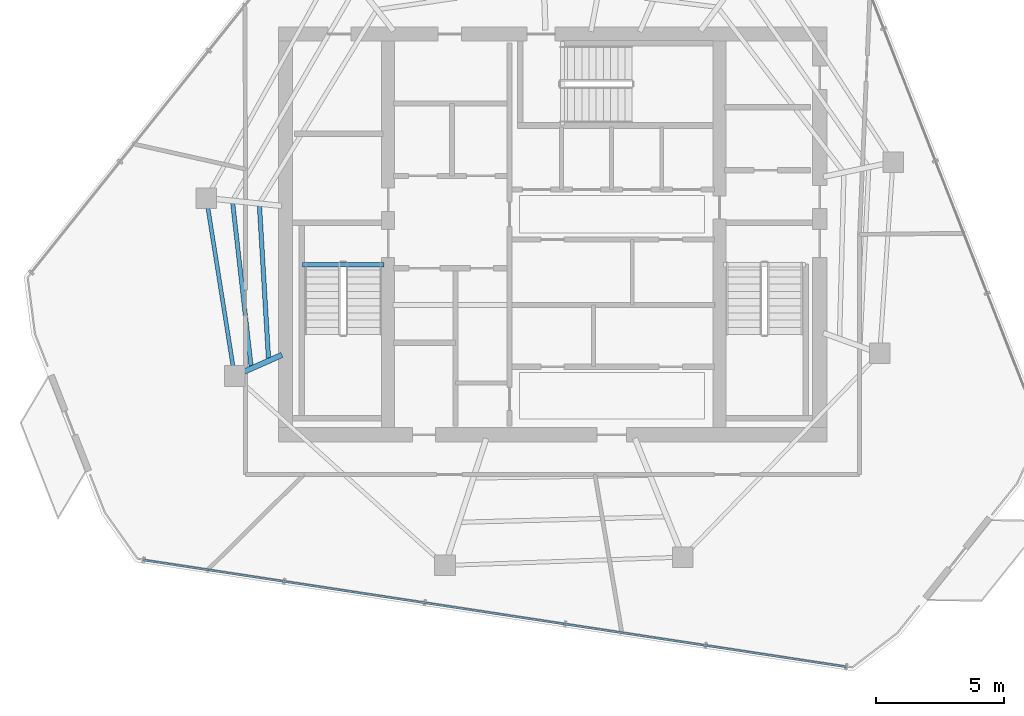
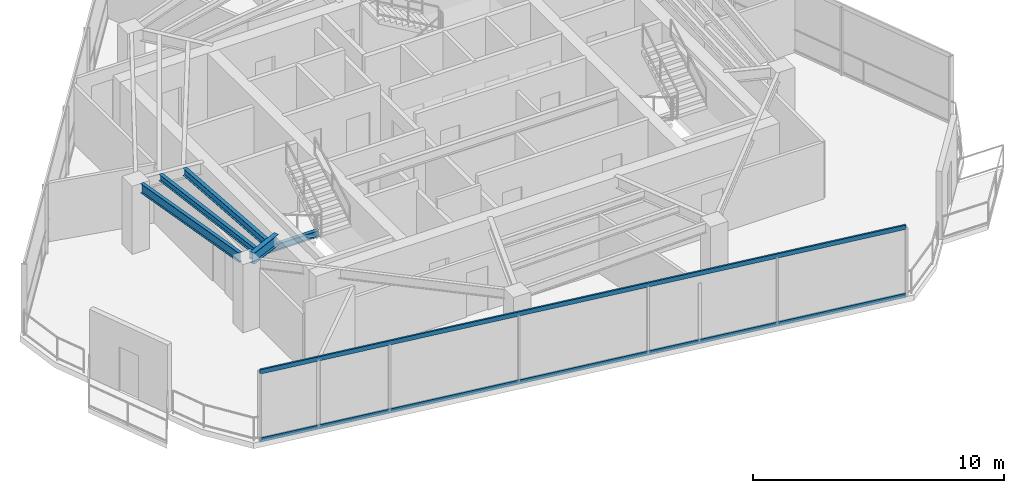
# One storey, part 3 of 19: 5 beams, 2 members, 1 element without a shape of its own.
"""IFC4 building model written with IfcOpenShell, lengths in metres."""

from ifc_helpers import new_model, si_unit, direction, frame, origin, origin_2d, place, context, subcontext, project, spatial, hollow_rectangle, i_section, extrude, material, layer, layer_set, material_profile, profile_set, type_object, element, aggregate, save


model = new_model("IFC4")

# Units and contexts
model_context = context("Model", 3, precision=1e-05, world=origin(), true_north=direction((0.0, 1.0)))
body_context = subcontext(model_context, "Body", "Model", "MODEL_VIEW")
ifc_project = project(units=[si_unit("LENGTHUNIT", "METRE"), si_unit("AREAUNIT", "SQUARE_METRE"), si_unit("VOLUMEUNIT", "CUBIC_METRE"), si_unit("PLANEANGLEUNIT", "RADIAN"), si_unit("MASSUNIT", "GRAM", prefix="KILO")], contexts=[model_context])

# Site, building, storey
site_placement = place(None, origin())
site = spatial("IfcSite", under=ifc_project, at=site_placement, CompositionType="ELEMENT")
building_placement = place(site_placement, origin())
building = spatial("IfcBuilding", under=site, at=building_placement, Name="Qarnah Convention Tower", CompositionType="ELEMENT")
storey_placement = place(building_placement, frame((0.0, 0.0, 260.699951171875)))
storey = spatial("IfcBuildingStorey", under=building, at=storey_placement, Name="L70", CompositionType="ELEMENT", Elevation=260.699951171875)

# Beams
ifc_material_1 = material(Name="Structural steel S355JR", Category="steel")
ifc_material_profile_1 = material_profile(ifc_material_1, i_section(OverallWidth=0.166015625, OverallDepth=0.31201171875, WebThickness=0.007080078125, FlangeThickness=0.010986328125, at=origin_2d()), Name="W310X45")
ifc_profile_set_1 = profile_set([ifc_material_profile_1], Name="Structural steel S355JR")
beam_type_1 = type_object("IfcBeamType", Name="BM-JST-W310", PredefinedType="JOIST", material=ifc_profile_set_1)
beam_1_placement = place(storey_placement, frame((27.4599609375, 25.217041015625, -0.156005859375), z_axis=(1.0, 0.0, 0.0), x_axis=(0.0, 1.0, 0.0)))
element("IfcBeam", 1, at=beam_1_placement, inside=storey, type_object=beam_type_1, Name="L70 stair landing trimmer beam BM-L70-ST1-TRM", PredefinedType="BEAM", context=body_context, shape_type="SweptSolid", body=[
    extrude(i_section(OverallWidth=0.166015625, OverallDepth=0.31201171875, WebThickness=0.007080078125, FlangeThickness=0.010986328125, at=origin_2d()), origin(), (0.0, 0.0, 1.0), 3.179931640625),
])
beam_2_placement = place(storey_placement, frame((24.7490234375, 27.6201171875, 3.1640625), z_axis=(0.111886248567, -0.993721020902, 0.0), x_axis=(0.993721020902, 0.111886248567, 0.0)))
element("IfcBeam", 2, at=beam_2_placement, inside=storey, type_object=beam_type_1, Name="L70 joist BM-L70-SJST-05", PredefinedType="JOIST", context=body_context, shape_type="SweptSolid", body=[
    extrude(i_section(OverallWidth=0.166015625, OverallDepth=0.31201171875, WebThickness=0.007080078125, FlangeThickness=0.010986328125, at=origin_2d()), origin(), (0.0, 0.0, 1.0), 6.39111328125),
])
ifc_material_profile_2 = material_profile(ifc_material_1, i_section(OverallWidth=0.172119140625, OverallDepth=0.35595703125, WebThickness=0.007080078125, FlangeThickness=0.011962890625, at=origin_2d()), Name="W360X51")
ifc_profile_set_2 = profile_set([ifc_material_profile_2], Name="Structural steel S355JR")
beam_type_2 = type_object("IfcBeamType", Name="BM-JST-W360", PredefinedType="JOIST", material=ifc_profile_set_2)
beam_3_placement = place(storey_placement, frame((25.7900390625, 27.510009765625, 3.14208984375), z_axis=(0.059154877701, -0.998248816901, 0.0), x_axis=(0.998248816901, 0.059154877701, 0.0)))
element("IfcBeam", 3, at=beam_3_placement, inside=storey, type_object=beam_type_2, Name="L70 joist BM-L70-IJST-05", PredefinedType="JOIST", context=body_context, shape_type="SweptSolid", body=[
    extrude(i_section(OverallWidth=0.172119140625, OverallDepth=0.35595703125, WebThickness=0.007080078125, FlangeThickness=0.011962890625, at=origin_2d()), origin(), (0.0, 0.0, 1.0), 5.951416015625),
])
ifc_material_profile_3 = material_profile(ifc_material_1, i_section(OverallWidth=0.2119140625, OverallDepth=0.5400390625, WebThickness=0.011962890625, FlangeThickness=0.01904296875, at=origin_2d()), Name="W530X109")
ifc_profile_set_3 = profile_set([ifc_material_profile_3], Name="Structural steel S355JR")
beam_type_3 = type_object("IfcBeamType", Name="BM-RAD-W530A", PredefinedType="BEAM", material=ifc_profile_set_3)
beam_4_placement = place(storey_placement, frame((26.6630859375, 21.708984375, 3.050048828125), z_axis=(-0.913688456795, -0.406415309652, 0.0), x_axis=(0.406415309652, -0.913688456795, 0.0)))
element("IfcBeam", 4, at=beam_4_placement, inside=storey, type_object=beam_type_3, Name="L70 beam BM-L70-RAD-06", PredefinedType="BEAM", context=body_context, shape_type="SweptSolid", body=[
    extrude(i_section(OverallWidth=0.2119140625, OverallDepth=0.5400390625, WebThickness=0.011962890625, FlangeThickness=0.01904296875, at=origin_2d()), origin(), (0.0, 0.0, 1.0), 1.636474609375),
])
ifc_material_profile_4 = material_profile(ifc_material_1, i_section(OverallWidth=0.154052734375, OverallDepth=0.4599609375, WebThickness=0.009033203125, FlangeThickness=0.014892578125, at=origin_2d()), Name="W460X68")
ifc_profile_set_4 = profile_set([ifc_material_profile_4], Name="Structural steel S355JR")
beam_type_4 = type_object("IfcBeamType", Name="BM-SPN-W460B", PredefinedType="SPANDREL", material=ifc_profile_set_4)
beam_5_placement = place(storey_placement, frame((23.784912109375, 27.430908203125, 3.090087890625), z_axis=(0.156423110156, -0.987690138965, 0.0), x_axis=(0.987690138965, 0.156423110156, 0.0)))
element("IfcBeam", 5, at=beam_5_placement, inside=storey, type_object=beam_type_4, Name="L70 spandrel BM-L70-SPN-05", PredefinedType="SPANDREL", context=body_context, shape_type="SweptSolid", body=[
    extrude(i_section(OverallWidth=0.154052734375, OverallDepth=0.4599609375, WebThickness=0.009033203125, FlangeThickness=0.014892578125, at=origin_2d()), origin(), (0.0, 0.0, 1.0), 6.233642578125),
])

# Curtain wall, members
ifc_material_2 = material(Name="Tempered Low-E dark glass", Category="glass")
ifc_layer = layer(ifc_material_2, 0.176025390625)
ifc_layer_set = layer_set([ifc_layer], Name="Tempered Low-E dark glass")
curtain_wall_type = type_object("IfcCurtainWallType", Name="CWS-05", PredefinedType="NOTDEFINED", material=ifc_layer_set)
curtain_wall_placement = place(storey_placement, origin())
curtain_wall = element("IfcCurtainWall", 6, at=curtain_wall_placement, inside=storey, type_object=curtain_wall_type, Name="L70 unitised curtain wall CW-L70-F1", PredefinedType="NOTDEFINED")
ifc_material_3 = material(Name="Black anodised aluminium", Category="aluminium")
ifc_material_profile_5 = material_profile(ifc_material_3, hollow_rectangle(XDim=0.080078125, YDim=0.2099609375, WallThickness=0.0048828125, at=origin_2d()), Name="TRN-80X210")
ifc_profile_set_5 = profile_set([ifc_material_profile_5], Name="Black anodised aluminium")
member_type = type_object("IfcMemberType", Name="TRN-T5", PredefinedType="USERDEFINED", material=ifc_profile_set_5)
member_1_placement = place(storey_placement, frame((48.632080078125, 9.56494140625, 0.0), z_axis=(-0.988650090449, 0.150236475779, 0.0), x_axis=(-0.150236475779, -0.988650090449, 0.0)))
member_1 = element("IfcMember", 7, at=member_1_placement, type_object=member_type, Name="CW-L70-F1 transom 1", ObjectType="TRANSOM", PredefinedType="USERDEFINED", context=body_context, shape_type="SweptSolid", body=[
    extrude(hollow_rectangle(XDim=0.080078125, YDim=0.2099609375, WallThickness=0.0048828125, at=origin_2d()), origin(), (0.0, 0.0, 1.0), 27.6630859375),
])
member_2_placement = place(storey_placement, frame((48.632080078125, 9.56494140625, 3.320068359375), z_axis=(-0.988650090449, 0.150236475779, 0.0), x_axis=(-0.150236475779, -0.988650090449, 0.0)))
member_2 = element("IfcMember", 8, at=member_2_placement, type_object=member_type, Name="CW-L70-F1 transom 2", ObjectType="TRANSOM", PredefinedType="USERDEFINED", context=body_context, shape_type="SweptSolid", body=[
    extrude(hollow_rectangle(XDim=0.080078125, YDim=0.2099609375, WallThickness=0.0048828125, at=origin_2d()), origin(), (0.0, 0.0, 1.0), 27.6630859375),
])
aggregate(curtain_wall, [member_1, member_2])

save(model, "model.ifc")
